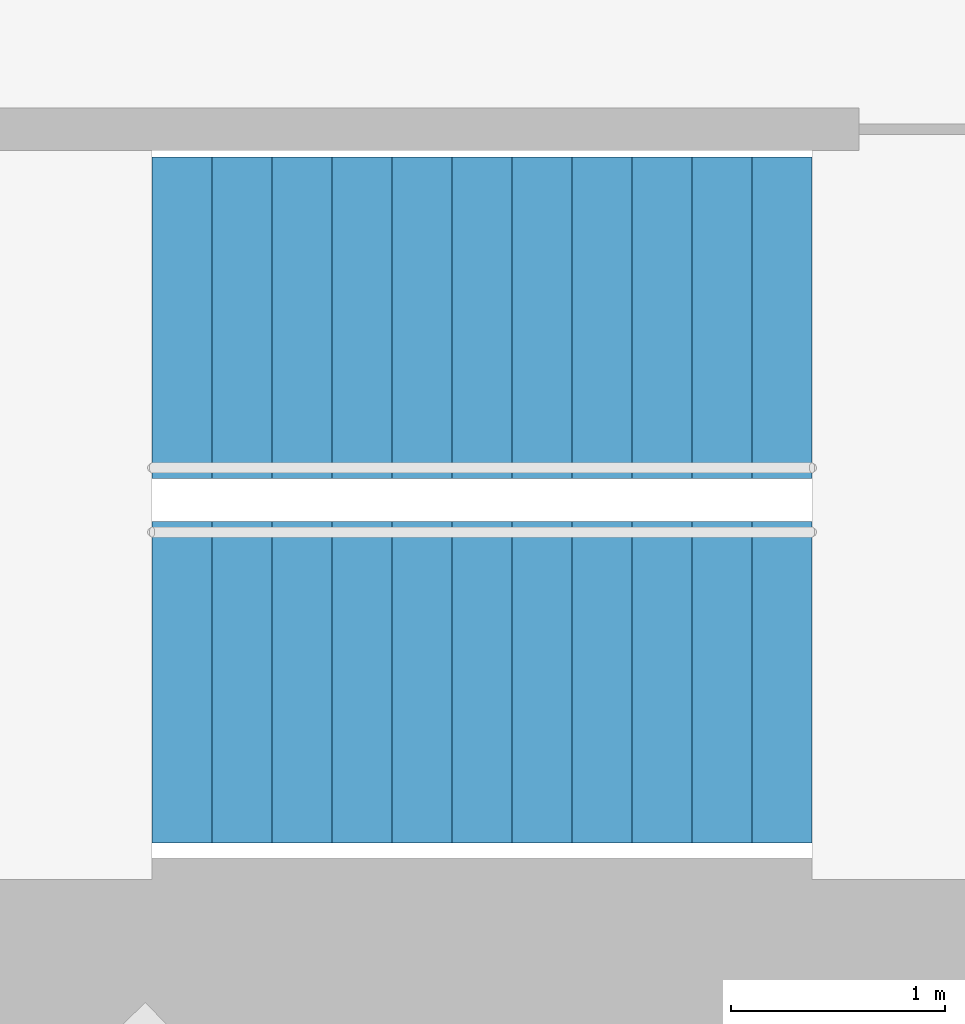
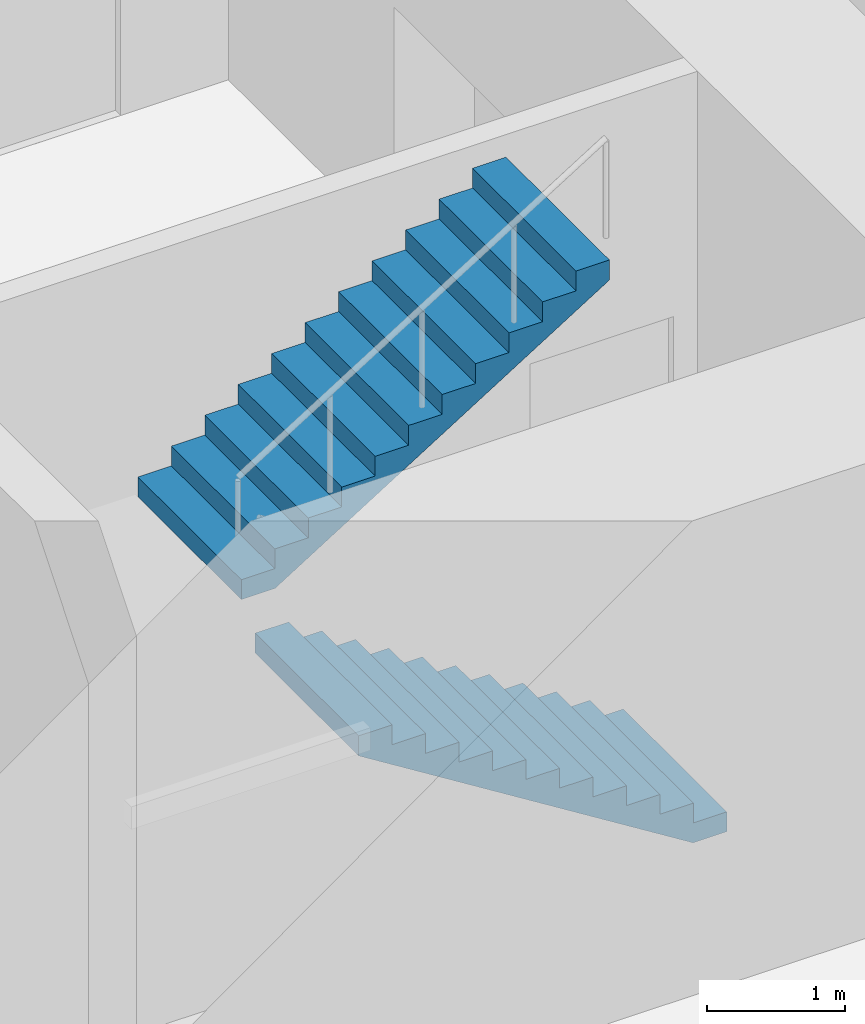
# One storey, part 17 of 18: 2 stair flights, 1 element without a shape of its own.
"""IFC4 building model written with IfcOpenShell, lengths in metres."""

from ifc_helpers import new_model, si_unit, direction, frame, origin, place, context, subcontext, project, spatial, triangles, material, type_object, element, aggregate, save


model = new_model("IFC4")

# Units and contexts
model_context = context("Model", 3, precision=1e-05, world=origin(), true_north=direction((0.0, 1.0)))
body_context = subcontext(model_context, "Body", "Model", "MODEL_VIEW")
ifc_project = project(units=[si_unit("LENGTHUNIT", "METRE"), si_unit("AREAUNIT", "SQUARE_METRE"), si_unit("VOLUMEUNIT", "CUBIC_METRE"), si_unit("PLANEANGLEUNIT", "RADIAN"), si_unit("MASSUNIT", "GRAM", prefix="KILO")], contexts=[model_context])

# Site, building, storey
site_placement = place(None, origin())
site = spatial("IfcSite", under=ifc_project, at=site_placement, CompositionType="ELEMENT")
building_placement = place(site_placement, origin())
building = spatial("IfcBuilding", under=site, at=building_placement, Name="Lantaw Convention Tower", CompositionType="ELEMENT")
storey_placement = place(building_placement, frame((0.0, 0.0, 172.0)))
storey = spatial("IfcBuildingStorey", under=building, at=storey_placement, Name="L40", CompositionType="ELEMENT", Elevation=172.0)

# Stair, stair flights
ifc_material = material(Name="Concrete C35/45", Category="concrete")
stair_type = type_object("IfcStairType", Name="Exit stair 1500 riser 175 in 2 flights", PredefinedType="HALF_TURN_STAIR", material=ifc_material)
stair_placement = place(storey_placement, origin())
stair = element("IfcStair", 1, at=stair_placement, inside=storey, type_object=stair_type, Name="Exit stair S2 L40", PredefinedType="HALF_TURN_STAIR")
stair_flight_type = type_object("IfcStairFlightType", Name="Stair flight 1500 riser 175", PredefinedType="STRAIGHT", material=ifc_material)
stair_flight_1_placement = place(storey_placement, frame((10.580078125, -5.97998046875, 0.0), z_axis=(0.0, 0.0, 1.0), x_axis=(-1.0, 0.0, 0.0)))
stair_flight_1 = element("IfcStairFlight", 2, at=stair_flight_1_placement, type_object=stair_flight_type, Name="S2 flight 1", NumberOfRisers=12, NumberOfTreads=11, PredefinedType="STRAIGHT", RiserHeight=0.175, TreadLength=0.28, context=body_context, shape_type="Tessellation", body=[
    triangles([(0.0, 0.75, 0.0), (0.0, 0.75, 0.175), (0.28, 0.75, 0.0), (0.28, 0.75, 0.175), (0.28, 0.75, 0.35), (0.28283517651771284, 0.75, 0.0), (0.28283517651771284, 0.75, 0.35), (0.56, 0.75, 0.17322801467642948), (0.56, 0.75, 0.35), (0.56, 0.75, 0.5249999999999999), (0.8400000000000001, 0.75, 0.34822801467642944), (0.8400000000000001, 0.75, 0.5249999999999999), (0.8400000000000001, 0.75, 0.7), (1.12, 0.75, 0.5232280146764294), (1.12, 0.75, 0.7), (1.12, 0.75, 0.875), (1.4000000000000001, 0.75, 0.6982280146764295), (1.4000000000000001, 0.75, 0.875), (1.4000000000000001, 0.75, 1.0499999999999998), (1.6800000000000002, 0.75, 0.8732280146764294), (1.6800000000000002, 0.75, 1.0499999999999998), (1.6800000000000002, 0.75, 1.2249999999999999), (1.9600000000000002, 0.75, 1.0482280146764293), (1.9600000000000002, 0.75, 1.2249999999999999), (1.9600000000000002, 0.75, 1.4), (2.24, 0.75, 1.2232280146764294), (2.24, 0.75, 1.4), (2.24, 0.75, 1.575), (2.5200000000000005, 0.75, 1.3982280146764294), (2.5200000000000005, 0.75, 1.575), (2.5200000000000005, 0.75, 1.75), (2.8000000000000003, 0.75, 1.5732280146764293), (2.8000000000000003, 0.75, 1.75), (2.8000000000000003, 0.75, 1.9249999999999998), (3.08, 0.75, 1.7482280146764293), (3.08, 0.75, 1.9249999999999998), (0.0, -0.75, 0.0), (0.0, -0.75, 0.175), (0.28, -0.75, 0.0), (0.28, -0.75, 0.175), (0.28, -0.75, 0.35), (0.28283517651771284, -0.75, 0.0), (0.28283517651771284, -0.75, 0.35), (0.56, -0.75, 0.17322801467642948), (0.56, -0.75, 0.35), (0.56, -0.75, 0.5249999999999999), (0.8400000000000001, -0.75, 0.34822801467642944), (0.8400000000000001, -0.75, 0.5249999999999999), (0.8400000000000001, -0.75, 0.7), (1.12, -0.75, 0.5232280146764294), (1.12, -0.75, 0.7), (1.12, -0.75, 0.875), (1.4000000000000001, -0.75, 0.6982280146764295), (1.4000000000000001, -0.75, 0.875), (1.4000000000000001, -0.75, 1.0499999999999998), (1.6800000000000002, -0.75, 0.8732280146764294), (1.6800000000000002, -0.75, 1.0499999999999998), (1.6800000000000002, -0.75, 1.2249999999999999), (1.9600000000000002, -0.75, 1.0482280146764293), (1.9600000000000002, -0.75, 1.2249999999999999), (1.9600000000000002, -0.75, 1.4), (2.24, -0.75, 1.2232280146764294), (2.24, -0.75, 1.4), (2.24, -0.75, 1.575), (2.5200000000000005, -0.75, 1.3982280146764294), (2.5200000000000005, -0.75, 1.575), (2.5200000000000005, -0.75, 1.75), (2.8000000000000003, -0.75, 1.5732280146764293), (2.8000000000000003, -0.75, 1.75), (2.8000000000000003, -0.75, 1.9249999999999998), (3.08, -0.75, 1.7482280146764293), (3.08, -0.75, 1.9249999999999998), (0.0, 0.15000000000000002, 0.175), (0.0, 0.15000000000000002, 0.0), (0.0, 0.0, 0.175), (0.0, 0.0, 0.0), (0.0, -0.15000000000000002, 0.175), (0.0, -0.15000000000000002, 0.0), (0.28, 0.15000000000000002, 0.35), (0.28, 0.15000000000000002, 0.175), (0.28, 0.0, 0.35), (0.28, 0.0, 0.175), (0.28, -0.15000000000000002, 0.35), (0.28, -0.15000000000000002, 0.175), (0.56, 0.15000000000000002, 0.5249999999999999), (0.56, 0.15000000000000002, 0.35), (0.56, 0.0, 0.5249999999999999), (0.56, 0.0, 0.35), (0.56, -0.15000000000000002, 0.5249999999999999), (0.56, -0.15000000000000002, 0.35), (0.8400000000000001, 0.15000000000000002, 0.7), (0.8400000000000001, 0.15000000000000002, 0.5249999999999999), (0.8400000000000001, 0.0, 0.7), (0.8400000000000001, 0.0, 0.5249999999999999), (0.8400000000000001, -0.15000000000000002, 0.7), (0.8400000000000001, -0.15000000000000002, 0.5249999999999999), (1.12, 0.15000000000000002, 0.875), (1.12, 0.15000000000000002, 0.7), (1.12, 0.0, 0.875), (1.12, 0.0, 0.7), (1.12, -0.15000000000000002, 0.875), (1.12, -0.15000000000000002, 0.7), (1.4000000000000001, 0.15000000000000002, 1.0499999999999998), (1.4000000000000001, 0.15000000000000002, 0.875), (1.4000000000000001, 0.0, 1.0499999999999998), (1.4000000000000001, 0.0, 0.875), (1.4000000000000001, -0.15000000000000002, 1.0499999999999998), (1.4000000000000001, -0.15000000000000002, 0.875), (1.6800000000000002, 0.15000000000000002, 1.2249999999999999), (1.6800000000000002, 0.15000000000000002, 1.0499999999999998), (1.6800000000000002, 0.0, 1.2249999999999999), (1.6800000000000002, 0.0, 1.0499999999999998), (1.6800000000000002, -0.15000000000000002, 1.2249999999999999), (1.6800000000000002, -0.15000000000000002, 1.0499999999999998), (1.9600000000000002, 0.15000000000000002, 1.4), (1.9600000000000002, 0.15000000000000002, 1.2249999999999999), (1.9600000000000002, 0.0, 1.4), (1.9600000000000002, 0.0, 1.2249999999999999), (1.9600000000000002, -0.15000000000000002, 1.4), (1.9600000000000002, -0.15000000000000002, 1.2249999999999999), (2.24, 0.15000000000000002, 1.575), (2.24, 0.15000000000000002, 1.4), (2.24, 0.0, 1.575), (2.24, 0.0, 1.4), (2.24, -0.15000000000000002, 1.575), (2.24, -0.15000000000000002, 1.4), (2.5200000000000005, 0.15000000000000002, 1.75), (2.5200000000000005, 0.15000000000000002, 1.575), (2.5200000000000005, 0.0, 1.75), (2.5200000000000005, 0.0, 1.575), (2.5200000000000005, -0.15000000000000002, 1.75), (2.5200000000000005, -0.15000000000000002, 1.575), (2.8000000000000003, 0.15000000000000002, 1.9249999999999998), (2.8000000000000003, 0.15000000000000002, 1.75), (2.8000000000000003, 0.0, 1.9249999999999998), (2.8000000000000003, 0.0, 1.75), (2.8000000000000003, -0.15000000000000002, 1.9249999999999998), (2.8000000000000003, -0.15000000000000002, 1.75), (0.28283517651771284, 0.15000000000000002, 0.35), (0.28283517651771284, 0.0, 0.35), (0.28283517651771284, -0.15000000000000002, 0.35), (3.08, 0.15000000000000002, 1.9249999999999998), (3.08, 0.0, 1.9249999999999998), (3.08, -0.15000000000000002, 1.9249999999999998), (3.08, 0.15000000000000002, 1.7482280146764293), (3.08, 0.0, 1.7482280146764293), (3.08, -0.15000000000000002, 1.7482280146764293), (2.8000000000000003, 0.15000000000000002, 1.5732280146764293), (2.8000000000000003, 0.0, 1.5732280146764293), (2.8000000000000003, -0.15000000000000002, 1.5732280146764293), (2.5200000000000005, 0.15000000000000002, 1.3982280146764294), (2.5200000000000005, 0.0, 1.3982280146764294), (2.5200000000000005, -0.15000000000000002, 1.3982280146764294), (2.24, 0.15000000000000002, 1.2232280146764294), (2.24, 0.0, 1.2232280146764294), (2.24, -0.15000000000000002, 1.2232280146764294), (1.9600000000000002, 0.15000000000000002, 1.0482280146764293), (1.9600000000000002, 0.0, 1.0482280146764293), (1.9600000000000002, -0.15000000000000002, 1.0482280146764293), (1.6800000000000002, 0.15000000000000002, 0.8732280146764294), (1.6800000000000002, 0.0, 0.8732280146764294), (1.6800000000000002, -0.15000000000000002, 0.8732280146764294), (1.4000000000000001, 0.15000000000000002, 0.6982280146764295), (1.4000000000000001, 0.0, 0.6982280146764295), (1.4000000000000001, -0.15000000000000002, 0.6982280146764295), (1.12, 0.15000000000000002, 0.5232280146764294), (1.12, 0.0, 0.5232280146764294), (1.12, -0.15000000000000002, 0.5232280146764294), (0.8400000000000001, 0.15000000000000002, 0.34822801467642944), (0.8400000000000001, 0.0, 0.34822801467642944), (0.8400000000000001, -0.15000000000000002, 0.34822801467642944), (0.56, 0.15000000000000002, 0.17322801467642948), (0.56, 0.0, 0.17322801467642948), (0.56, -0.15000000000000002, 0.17322801467642948), (0.28283517651771284, 0.15000000000000002, 0.0), (0.28283517651771284, 0.0, 0.0), (0.28283517651771284, -0.15000000000000002, 0.0), (0.28, 0.15000000000000002, 0.0), (0.28, 0.0, 0.0), (0.28, -0.15000000000000002, 0.0)], [[1, 4, 3], [1, 2, 4], [3, 4, 6], [4, 7, 6], [4, 5, 7], [6, 9, 8], [6, 7, 9], [8, 9, 11], [9, 12, 11], [9, 10, 12], [11, 12, 14], [12, 15, 14], [12, 13, 15], [14, 15, 17], [15, 18, 17], [15, 16, 18], [17, 18, 20], [18, 21, 20], [18, 19, 21], [20, 21, 23], [21, 24, 23], [21, 22, 24], [23, 24, 26], [24, 27, 26], [24, 25, 27], [26, 27, 29], [27, 30, 29], [27, 28, 30], [29, 30, 32], [30, 33, 32], [30, 31, 33], [32, 33, 35], [33, 36, 35], [33, 34, 36], [37, 39, 40], [37, 40, 38], [39, 42, 40], [40, 42, 43], [40, 43, 41], [42, 44, 45], [42, 45, 43], [44, 47, 45], [45, 47, 48], [45, 48, 46], [47, 50, 48], [48, 50, 51], [48, 51, 49], [50, 53, 51], [51, 53, 54], [51, 54, 52], [53, 56, 54], [54, 56, 57], [54, 57, 55], [56, 59, 57], [57, 59, 60], [57, 60, 58], [59, 62, 60], [60, 62, 63], [60, 63, 61], [62, 65, 63], [63, 65, 66], [63, 66, 64], [65, 68, 66], [66, 68, 69], [66, 69, 67], [68, 71, 69], [69, 71, 72], [69, 72, 70], [1, 73, 2], [1, 74, 73], [74, 75, 73], [74, 76, 75], [76, 77, 75], [76, 78, 77], [78, 38, 77], [78, 37, 38], [4, 79, 5], [4, 80, 79], [80, 81, 79], [80, 82, 81], [82, 83, 81], [82, 84, 83], [84, 41, 83], [84, 40, 41], [9, 85, 10], [9, 86, 85], [86, 87, 85], [86, 88, 87], [88, 89, 87], [88, 90, 89], [90, 46, 89], [90, 45, 46], [12, 91, 13], [12, 92, 91], [92, 93, 91], [92, 94, 93], [94, 95, 93], [94, 96, 95], [96, 49, 95], [96, 48, 49], [15, 97, 16], [15, 98, 97], [98, 99, 97], [98, 100, 99], [100, 101, 99], [100, 102, 101], [102, 52, 101], [102, 51, 52], [18, 103, 19], [18, 104, 103], [104, 105, 103], [104, 106, 105], [106, 107, 105], [106, 108, 107], [108, 55, 107], [108, 54, 55], [21, 109, 22], [21, 110, 109], [110, 111, 109], [110, 112, 111], [112, 113, 111], [112, 114, 113], [114, 58, 113], [114, 57, 58], [24, 115, 25], [24, 116, 115], [116, 117, 115], [116, 118, 117], [118, 119, 117], [118, 120, 119], [120, 61, 119], [120, 60, 61], [27, 121, 28], [27, 122, 121], [122, 123, 121], [122, 124, 123], [124, 125, 123], [124, 126, 125], [126, 64, 125], [126, 63, 64], [30, 127, 31], [30, 128, 127], [128, 129, 127], [128, 130, 129], [130, 131, 129], [130, 132, 131], [132, 67, 131], [132, 66, 67], [33, 133, 34], [33, 134, 133], [134, 135, 133], [134, 136, 135], [136, 137, 135], [136, 138, 137], [138, 70, 137], [138, 69, 70], [2, 80, 4], [2, 73, 80], [73, 82, 80], [73, 75, 82], [75, 84, 82], [75, 77, 84], [77, 40, 84], [77, 38, 40], [5, 139, 7], [5, 79, 139], [79, 140, 139], [79, 81, 140], [81, 141, 140], [81, 83, 141], [83, 43, 141], [83, 41, 43], [7, 86, 9], [7, 139, 86], [139, 88, 86], [139, 140, 88], [140, 90, 88], [140, 141, 90], [141, 45, 90], [141, 43, 45], [10, 92, 12], [10, 85, 92], [85, 94, 92], [85, 87, 94], [87, 96, 94], [87, 89, 96], [89, 48, 96], [89, 46, 48], [13, 98, 15], [13, 91, 98], [91, 100, 98], [91, 93, 100], [93, 102, 100], [93, 95, 102], [95, 51, 102], [95, 49, 51], [16, 104, 18], [16, 97, 104], [97, 106, 104], [97, 99, 106], [99, 108, 106], [99, 101, 108], [101, 54, 108], [101, 52, 54], [19, 110, 21], [19, 103, 110], [103, 112, 110], [103, 105, 112], [105, 114, 112], [105, 107, 114], [107, 57, 114], [107, 55, 57], [22, 116, 24], [22, 109, 116], [109, 118, 116], [109, 111, 118], [111, 120, 118], [111, 113, 120], [113, 60, 120], [113, 58, 60], [25, 122, 27], [25, 115, 122], [115, 124, 122], [115, 117, 124], [117, 126, 124], [117, 119, 126], [119, 63, 126], [119, 61, 63], [28, 128, 30], [28, 121, 128], [121, 130, 128], [121, 123, 130], [123, 132, 130], [123, 125, 132], [125, 66, 132], [125, 64, 66], [31, 134, 33], [31, 127, 134], [127, 136, 134], [127, 129, 136], [129, 138, 136], [129, 131, 138], [131, 69, 138], [131, 67, 69], [34, 142, 36], [34, 133, 142], [133, 143, 142], [133, 135, 143], [135, 144, 143], [135, 137, 144], [137, 72, 144], [137, 70, 72], [36, 145, 35], [36, 142, 145], [142, 146, 145], [142, 143, 146], [143, 147, 146], [143, 144, 147], [144, 71, 147], [144, 72, 71], [35, 148, 32], [35, 145, 148], [145, 149, 148], [145, 146, 149], [146, 150, 149], [146, 147, 150], [147, 68, 150], [147, 71, 68], [32, 151, 29], [32, 148, 151], [148, 152, 151], [148, 149, 152], [149, 153, 152], [149, 150, 153], [150, 65, 153], [150, 68, 65], [29, 154, 26], [29, 151, 154], [151, 155, 154], [151, 152, 155], [152, 156, 155], [152, 153, 156], [153, 62, 156], [153, 65, 62], [26, 157, 23], [26, 154, 157], [154, 158, 157], [154, 155, 158], [155, 159, 158], [155, 156, 159], [156, 59, 159], [156, 62, 59], [23, 160, 20], [23, 157, 160], [157, 161, 160], [157, 158, 161], [158, 162, 161], [158, 159, 162], [159, 56, 162], [159, 59, 56], [20, 163, 17], [20, 160, 163], [160, 164, 163], [160, 161, 164], [161, 165, 164], [161, 162, 165], [162, 53, 165], [162, 56, 53], [17, 166, 14], [17, 163, 166], [163, 167, 166], [163, 164, 167], [164, 168, 167], [164, 165, 168], [165, 50, 168], [165, 53, 50], [14, 169, 11], [14, 166, 169], [166, 170, 169], [166, 167, 170], [167, 171, 170], [167, 168, 171], [168, 47, 171], [168, 50, 47], [11, 172, 8], [11, 169, 172], [169, 173, 172], [169, 170, 173], [170, 174, 173], [170, 171, 174], [171, 44, 174], [171, 47, 44], [8, 175, 6], [8, 172, 175], [172, 176, 175], [172, 173, 176], [173, 177, 176], [173, 174, 177], [174, 42, 177], [174, 44, 42], [6, 178, 3], [6, 175, 178], [175, 179, 178], [175, 176, 179], [176, 180, 179], [176, 177, 180], [177, 39, 180], [177, 42, 39], [3, 74, 1], [3, 178, 74], [178, 76, 74], [178, 179, 76], [179, 78, 76], [179, 180, 78], [180, 37, 78], [180, 39, 37]], closed=True),
])
stair_flight_2_placement = place(storey_placement, frame((7.5, -4.280029296875, 2.10009765625), z_axis=(0.0, 0.0, 1.0), x_axis=(1.0, 0.0, 0.0)))
stair_flight_2 = element("IfcStairFlight", 3, at=stair_flight_2_placement, type_object=stair_flight_type, Name="S2 flight 2", NumberOfRisers=12, NumberOfTreads=11, PredefinedType="STRAIGHT", RiserHeight=0.175, TreadLength=0.28, context=body_context, shape_type="Tessellation", body=[
    triangles([(0.0, 0.75, 0.0), (0.0, 0.75, 0.175), (0.28, 0.75, 0.0), (0.28, 0.75, 0.175), (0.28, 0.75, 0.35), (0.28283517651771284, 0.75, 0.0), (0.28283517651771284, 0.75, 0.35), (0.56, 0.75, 0.17322801467642948), (0.56, 0.75, 0.35), (0.56, 0.75, 0.5249999999999999), (0.8400000000000001, 0.75, 0.34822801467642944), (0.8400000000000001, 0.75, 0.5249999999999999), (0.8400000000000001, 0.75, 0.7), (1.12, 0.75, 0.5232280146764294), (1.12, 0.75, 0.7), (1.12, 0.75, 0.875), (1.4000000000000001, 0.75, 0.6982280146764295), (1.4000000000000001, 0.75, 0.875), (1.4000000000000001, 0.75, 1.0499999999999998), (1.6800000000000002, 0.75, 0.8732280146764294), (1.6800000000000002, 0.75, 1.0499999999999998), (1.6800000000000002, 0.75, 1.2249999999999999), (1.9600000000000002, 0.75, 1.0482280146764293), (1.9600000000000002, 0.75, 1.2249999999999999), (1.9600000000000002, 0.75, 1.4), (2.24, 0.75, 1.2232280146764294), (2.24, 0.75, 1.4), (2.24, 0.75, 1.575), (2.5200000000000005, 0.75, 1.3982280146764294), (2.5200000000000005, 0.75, 1.575), (2.5200000000000005, 0.75, 1.75), (2.8000000000000003, 0.75, 1.5732280146764293), (2.8000000000000003, 0.75, 1.75), (2.8000000000000003, 0.75, 1.9249999999999998), (3.08, 0.75, 1.7482280146764293), (3.08, 0.75, 1.9249999999999998), (0.0, -0.75, 0.0), (0.0, -0.75, 0.175), (0.28, -0.75, 0.0), (0.28, -0.75, 0.175), (0.28, -0.75, 0.35), (0.28283517651771284, -0.75, 0.0), (0.28283517651771284, -0.75, 0.35), (0.56, -0.75, 0.17322801467642948), (0.56, -0.75, 0.35), (0.56, -0.75, 0.5249999999999999), (0.8400000000000001, -0.75, 0.34822801467642944), (0.8400000000000001, -0.75, 0.5249999999999999), (0.8400000000000001, -0.75, 0.7), (1.12, -0.75, 0.5232280146764294), (1.12, -0.75, 0.7), (1.12, -0.75, 0.875), (1.4000000000000001, -0.75, 0.6982280146764295), (1.4000000000000001, -0.75, 0.875), (1.4000000000000001, -0.75, 1.0499999999999998), (1.6800000000000002, -0.75, 0.8732280146764294), (1.6800000000000002, -0.75, 1.0499999999999998), (1.6800000000000002, -0.75, 1.2249999999999999), (1.9600000000000002, -0.75, 1.0482280146764293), (1.9600000000000002, -0.75, 1.2249999999999999), (1.9600000000000002, -0.75, 1.4), (2.24, -0.75, 1.2232280146764294), (2.24, -0.75, 1.4), (2.24, -0.75, 1.575), (2.5200000000000005, -0.75, 1.3982280146764294), (2.5200000000000005, -0.75, 1.575), (2.5200000000000005, -0.75, 1.75), (2.8000000000000003, -0.75, 1.5732280146764293), (2.8000000000000003, -0.75, 1.75), (2.8000000000000003, -0.75, 1.9249999999999998), (3.08, -0.75, 1.7482280146764293), (3.08, -0.75, 1.9249999999999998), (0.0, 0.15000000000000002, 0.175), (0.0, 0.15000000000000002, 0.0), (0.0, 0.0, 0.175), (0.0, 0.0, 0.0), (0.0, -0.15000000000000002, 0.175), (0.0, -0.15000000000000002, 0.0), (0.28, 0.15000000000000002, 0.35), (0.28, 0.15000000000000002, 0.175), (0.28, 0.0, 0.35), (0.28, 0.0, 0.175), (0.28, -0.15000000000000002, 0.35), (0.28, -0.15000000000000002, 0.175), (0.56, 0.15000000000000002, 0.5249999999999999), (0.56, 0.15000000000000002, 0.35), (0.56, 0.0, 0.5249999999999999), (0.56, 0.0, 0.35), (0.56, -0.15000000000000002, 0.5249999999999999), (0.56, -0.15000000000000002, 0.35), (0.8400000000000001, 0.15000000000000002, 0.7), (0.8400000000000001, 0.15000000000000002, 0.5249999999999999), (0.8400000000000001, 0.0, 0.7), (0.8400000000000001, 0.0, 0.5249999999999999), (0.8400000000000001, -0.15000000000000002, 0.7), (0.8400000000000001, -0.15000000000000002, 0.5249999999999999), (1.12, 0.15000000000000002, 0.875), (1.12, 0.15000000000000002, 0.7), (1.12, 0.0, 0.875), (1.12, 0.0, 0.7), (1.12, -0.15000000000000002, 0.875), (1.12, -0.15000000000000002, 0.7), (1.4000000000000001, 0.15000000000000002, 1.0499999999999998), (1.4000000000000001, 0.15000000000000002, 0.875), (1.4000000000000001, 0.0, 1.0499999999999998), (1.4000000000000001, 0.0, 0.875), (1.4000000000000001, -0.15000000000000002, 1.0499999999999998), (1.4000000000000001, -0.15000000000000002, 0.875), (1.6800000000000002, 0.15000000000000002, 1.2249999999999999), (1.6800000000000002, 0.15000000000000002, 1.0499999999999998), (1.6800000000000002, 0.0, 1.2249999999999999), (1.6800000000000002, 0.0, 1.0499999999999998), (1.6800000000000002, -0.15000000000000002, 1.2249999999999999), (1.6800000000000002, -0.15000000000000002, 1.0499999999999998), (1.9600000000000002, 0.15000000000000002, 1.4), (1.9600000000000002, 0.15000000000000002, 1.2249999999999999), (1.9600000000000002, 0.0, 1.4), (1.9600000000000002, 0.0, 1.2249999999999999), (1.9600000000000002, -0.15000000000000002, 1.4), (1.9600000000000002, -0.15000000000000002, 1.2249999999999999), (2.24, 0.15000000000000002, 1.575), (2.24, 0.15000000000000002, 1.4), (2.24, 0.0, 1.575), (2.24, 0.0, 1.4), (2.24, -0.15000000000000002, 1.575), (2.24, -0.15000000000000002, 1.4), (2.5200000000000005, 0.15000000000000002, 1.75), (2.5200000000000005, 0.15000000000000002, 1.575), (2.5200000000000005, 0.0, 1.75), (2.5200000000000005, 0.0, 1.575), (2.5200000000000005, -0.15000000000000002, 1.75), (2.5200000000000005, -0.15000000000000002, 1.575), (2.8000000000000003, 0.15000000000000002, 1.9249999999999998), (2.8000000000000003, 0.15000000000000002, 1.75), (2.8000000000000003, 0.0, 1.9249999999999998), (2.8000000000000003, 0.0, 1.75), (2.8000000000000003, -0.15000000000000002, 1.9249999999999998), (2.8000000000000003, -0.15000000000000002, 1.75), (0.28283517651771284, 0.15000000000000002, 0.35), (0.28283517651771284, 0.0, 0.35), (0.28283517651771284, -0.15000000000000002, 0.35), (3.08, 0.15000000000000002, 1.9249999999999998), (3.08, 0.0, 1.9249999999999998), (3.08, -0.15000000000000002, 1.9249999999999998), (3.08, 0.15000000000000002, 1.7482280146764293), (3.08, 0.0, 1.7482280146764293), (3.08, -0.15000000000000002, 1.7482280146764293), (2.8000000000000003, 0.15000000000000002, 1.5732280146764293), (2.8000000000000003, 0.0, 1.5732280146764293), (2.8000000000000003, -0.15000000000000002, 1.5732280146764293), (2.5200000000000005, 0.15000000000000002, 1.3982280146764294), (2.5200000000000005, 0.0, 1.3982280146764294), (2.5200000000000005, -0.15000000000000002, 1.3982280146764294), (2.24, 0.15000000000000002, 1.2232280146764294), (2.24, 0.0, 1.2232280146764294), (2.24, -0.15000000000000002, 1.2232280146764294), (1.9600000000000002, 0.15000000000000002, 1.0482280146764293), (1.9600000000000002, 0.0, 1.0482280146764293), (1.9600000000000002, -0.15000000000000002, 1.0482280146764293), (1.6800000000000002, 0.15000000000000002, 0.8732280146764294), (1.6800000000000002, 0.0, 0.8732280146764294), (1.6800000000000002, -0.15000000000000002, 0.8732280146764294), (1.4000000000000001, 0.15000000000000002, 0.6982280146764295), (1.4000000000000001, 0.0, 0.6982280146764295), (1.4000000000000001, -0.15000000000000002, 0.6982280146764295), (1.12, 0.15000000000000002, 0.5232280146764294), (1.12, 0.0, 0.5232280146764294), (1.12, -0.15000000000000002, 0.5232280146764294), (0.8400000000000001, 0.15000000000000002, 0.34822801467642944), (0.8400000000000001, 0.0, 0.34822801467642944), (0.8400000000000001, -0.15000000000000002, 0.34822801467642944), (0.56, 0.15000000000000002, 0.17322801467642948), (0.56, 0.0, 0.17322801467642948), (0.56, -0.15000000000000002, 0.17322801467642948), (0.28283517651771284, 0.15000000000000002, 0.0), (0.28283517651771284, 0.0, 0.0), (0.28283517651771284, -0.15000000000000002, 0.0), (0.28, 0.15000000000000002, 0.0), (0.28, 0.0, 0.0), (0.28, -0.15000000000000002, 0.0)], [[1, 4, 3], [1, 2, 4], [3, 4, 6], [4, 7, 6], [4, 5, 7], [6, 9, 8], [6, 7, 9], [8, 9, 11], [9, 12, 11], [9, 10, 12], [11, 12, 14], [12, 15, 14], [12, 13, 15], [14, 15, 17], [15, 18, 17], [15, 16, 18], [17, 18, 20], [18, 21, 20], [18, 19, 21], [20, 21, 23], [21, 24, 23], [21, 22, 24], [23, 24, 26], [24, 27, 26], [24, 25, 27], [26, 27, 29], [27, 30, 29], [27, 28, 30], [29, 30, 32], [30, 33, 32], [30, 31, 33], [32, 33, 35], [33, 36, 35], [33, 34, 36], [37, 39, 40], [37, 40, 38], [39, 42, 40], [40, 42, 43], [40, 43, 41], [42, 44, 45], [42, 45, 43], [44, 47, 45], [45, 47, 48], [45, 48, 46], [47, 50, 48], [48, 50, 51], [48, 51, 49], [50, 53, 51], [51, 53, 54], [51, 54, 52], [53, 56, 54], [54, 56, 57], [54, 57, 55], [56, 59, 57], [57, 59, 60], [57, 60, 58], [59, 62, 60], [60, 62, 63], [60, 63, 61], [62, 65, 63], [63, 65, 66], [63, 66, 64], [65, 68, 66], [66, 68, 69], [66, 69, 67], [68, 71, 69], [69, 71, 72], [69, 72, 70], [1, 73, 2], [1, 74, 73], [74, 75, 73], [74, 76, 75], [76, 77, 75], [76, 78, 77], [78, 38, 77], [78, 37, 38], [4, 79, 5], [4, 80, 79], [80, 81, 79], [80, 82, 81], [82, 83, 81], [82, 84, 83], [84, 41, 83], [84, 40, 41], [9, 85, 10], [9, 86, 85], [86, 87, 85], [86, 88, 87], [88, 89, 87], [88, 90, 89], [90, 46, 89], [90, 45, 46], [12, 91, 13], [12, 92, 91], [92, 93, 91], [92, 94, 93], [94, 95, 93], [94, 96, 95], [96, 49, 95], [96, 48, 49], [15, 97, 16], [15, 98, 97], [98, 99, 97], [98, 100, 99], [100, 101, 99], [100, 102, 101], [102, 52, 101], [102, 51, 52], [18, 103, 19], [18, 104, 103], [104, 105, 103], [104, 106, 105], [106, 107, 105], [106, 108, 107], [108, 55, 107], [108, 54, 55], [21, 109, 22], [21, 110, 109], [110, 111, 109], [110, 112, 111], [112, 113, 111], [112, 114, 113], [114, 58, 113], [114, 57, 58], [24, 115, 25], [24, 116, 115], [116, 117, 115], [116, 118, 117], [118, 119, 117], [118, 120, 119], [120, 61, 119], [120, 60, 61], [27, 121, 28], [27, 122, 121], [122, 123, 121], [122, 124, 123], [124, 125, 123], [124, 126, 125], [126, 64, 125], [126, 63, 64], [30, 127, 31], [30, 128, 127], [128, 129, 127], [128, 130, 129], [130, 131, 129], [130, 132, 131], [132, 67, 131], [132, 66, 67], [33, 133, 34], [33, 134, 133], [134, 135, 133], [134, 136, 135], [136, 137, 135], [136, 138, 137], [138, 70, 137], [138, 69, 70], [2, 80, 4], [2, 73, 80], [73, 82, 80], [73, 75, 82], [75, 84, 82], [75, 77, 84], [77, 40, 84], [77, 38, 40], [5, 139, 7], [5, 79, 139], [79, 140, 139], [79, 81, 140], [81, 141, 140], [81, 83, 141], [83, 43, 141], [83, 41, 43], [7, 86, 9], [7, 139, 86], [139, 88, 86], [139, 140, 88], [140, 90, 88], [140, 141, 90], [141, 45, 90], [141, 43, 45], [10, 92, 12], [10, 85, 92], [85, 94, 92], [85, 87, 94], [87, 96, 94], [87, 89, 96], [89, 48, 96], [89, 46, 48], [13, 98, 15], [13, 91, 98], [91, 100, 98], [91, 93, 100], [93, 102, 100], [93, 95, 102], [95, 51, 102], [95, 49, 51], [16, 104, 18], [16, 97, 104], [97, 106, 104], [97, 99, 106], [99, 108, 106], [99, 101, 108], [101, 54, 108], [101, 52, 54], [19, 110, 21], [19, 103, 110], [103, 112, 110], [103, 105, 112], [105, 114, 112], [105, 107, 114], [107, 57, 114], [107, 55, 57], [22, 116, 24], [22, 109, 116], [109, 118, 116], [109, 111, 118], [111, 120, 118], [111, 113, 120], [113, 60, 120], [113, 58, 60], [25, 122, 27], [25, 115, 122], [115, 124, 122], [115, 117, 124], [117, 126, 124], [117, 119, 126], [119, 63, 126], [119, 61, 63], [28, 128, 30], [28, 121, 128], [121, 130, 128], [121, 123, 130], [123, 132, 130], [123, 125, 132], [125, 66, 132], [125, 64, 66], [31, 134, 33], [31, 127, 134], [127, 136, 134], [127, 129, 136], [129, 138, 136], [129, 131, 138], [131, 69, 138], [131, 67, 69], [34, 142, 36], [34, 133, 142], [133, 143, 142], [133, 135, 143], [135, 144, 143], [135, 137, 144], [137, 72, 144], [137, 70, 72], [36, 145, 35], [36, 142, 145], [142, 146, 145], [142, 143, 146], [143, 147, 146], [143, 144, 147], [144, 71, 147], [144, 72, 71], [35, 148, 32], [35, 145, 148], [145, 149, 148], [145, 146, 149], [146, 150, 149], [146, 147, 150], [147, 68, 150], [147, 71, 68], [32, 151, 29], [32, 148, 151], [148, 152, 151], [148, 149, 152], [149, 153, 152], [149, 150, 153], [150, 65, 153], [150, 68, 65], [29, 154, 26], [29, 151, 154], [151, 155, 154], [151, 152, 155], [152, 156, 155], [152, 153, 156], [153, 62, 156], [153, 65, 62], [26, 157, 23], [26, 154, 157], [154, 158, 157], [154, 155, 158], [155, 159, 158], [155, 156, 159], [156, 59, 159], [156, 62, 59], [23, 160, 20], [23, 157, 160], [157, 161, 160], [157, 158, 161], [158, 162, 161], [158, 159, 162], [159, 56, 162], [159, 59, 56], [20, 163, 17], [20, 160, 163], [160, 164, 163], [160, 161, 164], [161, 165, 164], [161, 162, 165], [162, 53, 165], [162, 56, 53], [17, 166, 14], [17, 163, 166], [163, 167, 166], [163, 164, 167], [164, 168, 167], [164, 165, 168], [165, 50, 168], [165, 53, 50], [14, 169, 11], [14, 166, 169], [166, 170, 169], [166, 167, 170], [167, 171, 170], [167, 168, 171], [168, 47, 171], [168, 50, 47], [11, 172, 8], [11, 169, 172], [169, 173, 172], [169, 170, 173], [170, 174, 173], [170, 171, 174], [171, 44, 174], [171, 47, 44], [8, 175, 6], [8, 172, 175], [172, 176, 175], [172, 173, 176], [173, 177, 176], [173, 174, 177], [174, 42, 177], [174, 44, 42], [6, 178, 3], [6, 175, 178], [175, 179, 178], [175, 176, 179], [176, 180, 179], [176, 177, 180], [177, 39, 180], [177, 42, 39], [3, 74, 1], [3, 178, 74], [178, 76, 74], [178, 179, 76], [179, 78, 76], [179, 180, 78], [180, 37, 78], [180, 39, 37]], closed=True),
])
aggregate(stair, [stair_flight_1, stair_flight_2])

save(model, "model.ifc")
